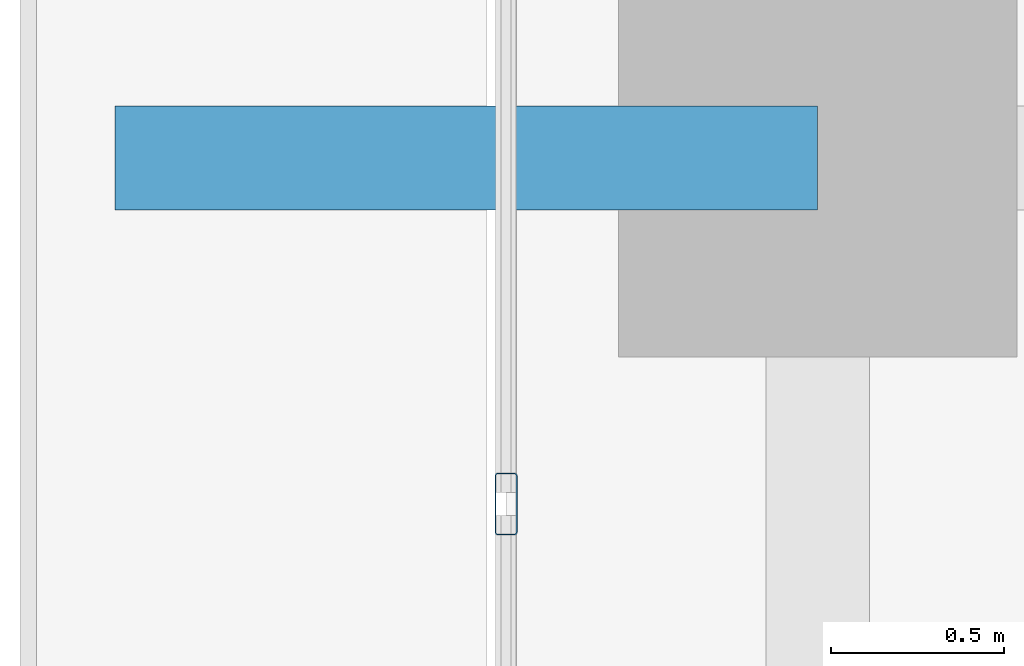
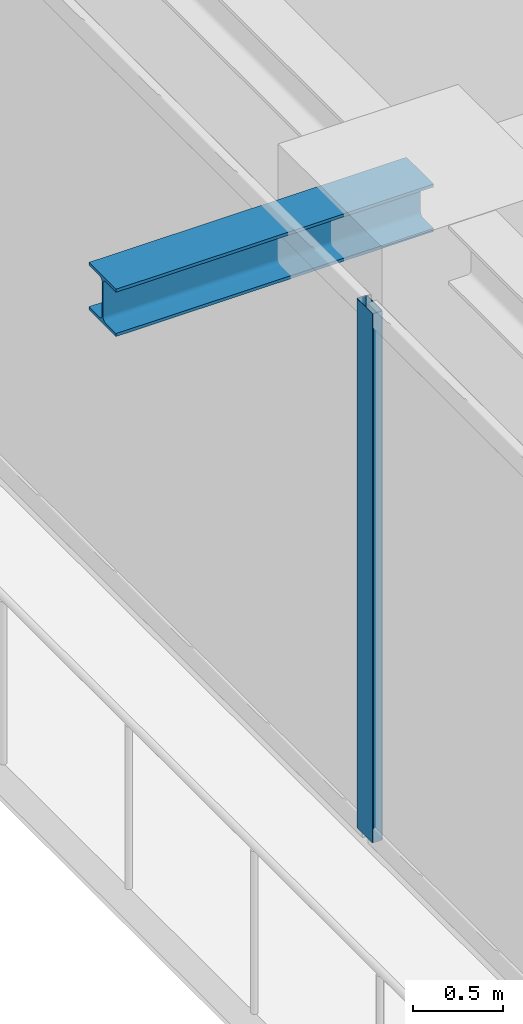
# One storey, part 9 of 37: 1 beam, 1 member, 1 element without a shape of its own.
"""IFC4 building model written with IfcOpenShell, lengths in metres."""

from ifc_helpers import new_model, si_unit, direction, frame, origin, origin_2d, place, context, subcontext, project, spatial, hollow_rectangle, i_section, extrude, source, transform, mapped, material, layer, layer_set, material_profile, profile_set, type_object, element, aggregate, save


model = new_model("IFC4")

# Units and contexts
model_context = context("Model", 3, precision=1e-05, world=origin(), true_north=direction((0.0, 1.0)))
body_context = subcontext(model_context, "Body", "Model", "MODEL_VIEW")
ifc_project = project(units=[si_unit("LENGTHUNIT", "METRE"), si_unit("AREAUNIT", "SQUARE_METRE"), si_unit("VOLUMEUNIT", "CUBIC_METRE"), si_unit("PLANEANGLEUNIT", "RADIAN"), si_unit("MASSUNIT", "GRAM", prefix="KILO")], contexts=[model_context])

# Site, building, storey
site_placement = place(None, origin())
site = spatial("IfcSite", under=ifc_project, at=site_placement, CompositionType="ELEMENT")
building_placement = place(site_placement, origin())
building = spatial("IfcBuilding", under=site, at=building_placement, Name="Serunith Strait Residences", CompositionType="ELEMENT")
storey_placement = place(building_placement, frame((0.0, 0.0, 260.5)))
storey = spatial("IfcBuildingStorey", under=building, at=storey_placement, Name="L65", CompositionType="ELEMENT", Elevation=260.5)

# Beam
ifc_material_1 = material(Name="Steel S355J2", Category="steel")
ifc_material_profile_1 = material_profile(ifc_material_1, i_section(OverallWidth=0.300048828125, OverallDepth=0.320068359375, WebThickness=0.011474609375, FlangeThickness=0.0205078125, FilletRadius=0.027099609375, at=origin_2d()), Name="HEB 320")
ifc_profile_set_1 = profile_set([ifc_material_profile_1], Name="Steel S355J2")
beam_type = type_object("IfcBeamType", Name="BM-HEB320", PredefinedType="BEAM", material=ifc_profile_set_1)
shared_shape_1 = source(origin(), body_context, "Body", "SweptSolid", [
    extrude(i_section(OverallWidth=0.300048828125, OverallDepth=0.320068359375, WebThickness=0.011474609375, FlangeThickness=0.0205078125, FilletRadius=0.027099609375, at=origin_2d()), origin(), (0.0, 0.0, 1.0), 2.030029296875),
])
beam_placement = place(storey_placement, frame((8.300048828125, 29.39990234375, 3.39697265625), z_axis=(-1.0, 0.0, 0.0), x_axis=(0.0, -1.0, 0.0)))
element("IfcBeam", 1, at=beam_placement, inside=storey, type_object=beam_type, Name="L66 Cantilevered Balcony Rib TC-W3", PredefinedType="BEAM", context=body_context, shape_type="MappedRepresentation", body=[
    mapped(shared_shape_1, transform((0.0, 0.0, 0.0), scale=1.0)),
])

# Curtain wall, member
ifc_material_2 = material(Name="Pale-Champagne Anodised Aluminium", Category="aluminium")
ifc_layer = layer(ifc_material_2, 0.199951171875, Name="Pale-Champagne Anodised Aluminium")
ifc_layer_set = layer_set([ifc_layer], Name="Pale-Champagne Anodised Aluminium")
curtain_wall_type = type_object("IfcCurtainWallType", Name="CW-SYS4", PredefinedType="NOTDEFINED", material=ifc_layer_set)
curtain_wall_placement = place(storey_placement, origin())
curtain_wall = element("IfcCurtainWall", 2, at=curtain_wall_placement, inside=storey, type_object=curtain_wall_type, Name="L65 W Unitised Fritted Curtain Wall", PredefinedType="NOTDEFINED")
ifc_material_profile_2 = material_profile(ifc_material_2, hollow_rectangle(XDim=0.06494140625, YDim=0.179931640625, WallThickness=0.00341796875, InnerFilletRadius=0.00537109375, OuterFilletRadius=0.0087890625, at=origin_2d()), Name="ALU 180x65x3.5")
ifc_profile_set_2 = profile_set([ifc_material_profile_2], Name="Pale-Champagne Anodised Aluminium")
member_type = type_object("IfcMemberType", Name="CW-SYS4-MULL", PredefinedType="MULLION", material=ifc_profile_set_2)
shared_shape_2 = source(origin(), body_context, "Body", "SweptSolid", [
    extrude(hollow_rectangle(XDim=0.06494140625, YDim=0.179931640625, WallThickness=0.00341796875, InnerFilletRadius=0.00537109375, OuterFilletRadius=0.0087890625, at=origin_2d()), origin(), (0.0, 0.0, 1.0), 3.574951171875),
])
member_placement = place(storey_placement, frame((7.39990234375, 28.39990234375, 0.0), z_axis=(0.0, 0.0, 1.0), x_axis=(1.0, 0.0, 0.0)))
member = element("IfcMember", 3, at=member_placement, type_object=member_type, Name="CW-4 mullion 3", PredefinedType="MULLION", context=body_context, shape_type="MappedRepresentation", body=[
    mapped(shared_shape_2, transform((0.0, 0.0, 0.0), scale=1.0)),
])
aggregate(curtain_wall, [member])

save(model, "model.ifc")
